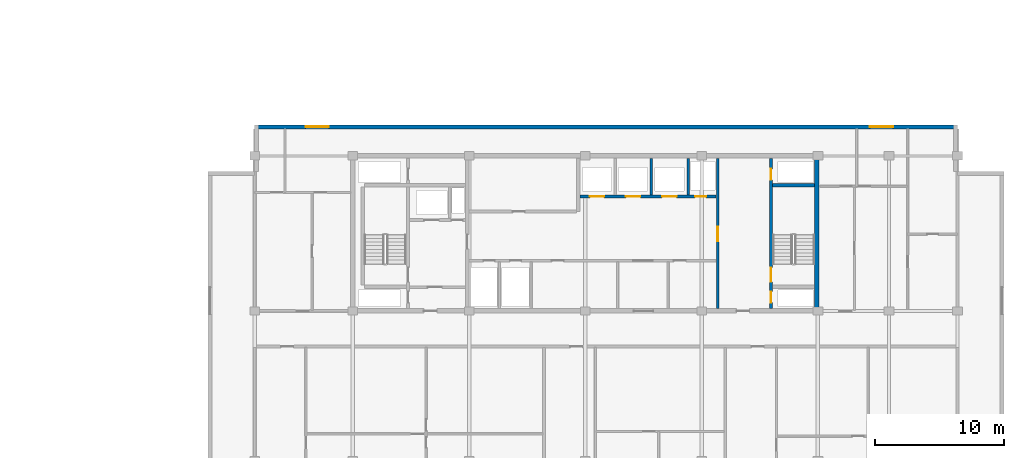
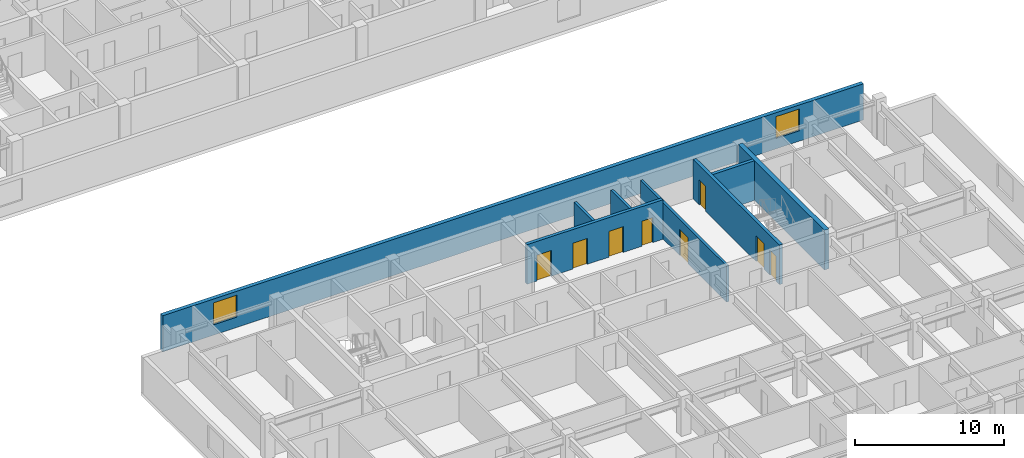
# One storey, part 8 of 22: 8 doors, 8 walls, 2 windows, 10 openings.
"""IFC4 building model written with IfcOpenShell, lengths in metres."""

from ifc_helpers import new_model, si_unit, direction, frame, frame_2d, origin, place, context, subcontext, project, spatial, rectangle, extrude, material, layer, layer_set, type_object, element, fill, save


model = new_model("IFC4")

# Units and contexts
model_context = context("Model", 3, precision=1e-05, world=origin(), true_north=direction((0.0, 1.0)))
body_context = subcontext(model_context, "Body", "Model", "MODEL_VIEW")
ifc_project = project(units=[si_unit("LENGTHUNIT", "METRE"), si_unit("AREAUNIT", "SQUARE_METRE"), si_unit("VOLUMEUNIT", "CUBIC_METRE"), si_unit("PLANEANGLEUNIT", "RADIAN"), si_unit("MASSUNIT", "GRAM", prefix="KILO")], contexts=[model_context])

# Site, building, storey
site_placement = place(None, origin())
site = spatial("IfcSite", under=ifc_project, at=site_placement, CompositionType="ELEMENT")
building_placement = place(site_placement, origin())
building = spatial("IfcBuilding", under=site, at=building_placement, Name="Korimba Cascade Residences", CompositionType="ELEMENT")
storey_placement = place(building_placement, frame((0.0, 0.0, 194.60009765625)))
storey = spatial("IfcBuildingStorey", under=building, at=storey_placement, Name="L56", CompositionType="ELEMENT", Elevation=194.60009765625)

# Wall, openings, windows
ifc_material_1 = material(Name="Precast concrete C40/50", Category="concrete")
ifc_layer_1 = layer(ifc_material_1, 0.300048828125)
ifc_layer_set_1 = layer_set([ifc_layer_1], Name="Precast concrete C40/50")
wall_type_1 = type_object("IfcWallType", Name="EW-STONE-300", PredefinedType="STANDARD", material=ifc_layer_set_1)
wall_1_placement = place(storey_placement, frame((128.89990234375, 32.64990234375, 0.0), z_axis=(0.0, 0.0, 1.0), x_axis=(-1.0, 0.0, 0.0)))
wall_1 = element("IfcWall", 1, at=wall_1_placement, inside=storey, type_object=wall_type_1, Name="L56 T2 Perimeter Stone Wall E06", PredefinedType="STANDARD", context=body_context, shape_type="SweptSolid", body=[
    extrude(rectangle(XDim=54.39990234375, YDim=0.300048828125, at=frame_2d((27.199951171875, 0.0))), origin(), (0.0, 0.0, 1.0), 2.969970703125),
])
opening_1_placement = place(wall_1_placement, frame((48.64990234375, 0.0, 0.85009765625)))
opening_1 = element("IfcOpeningElement", 2, at=opening_1_placement, cuts=wall_1, Name="Opening W-02", PredefinedType="OPENING", context=body_context, shape_type="SweptSolid", body=[
    extrude(rectangle(XDim=1.800048828125, YDim=1.800048828125, at=frame_2d((0.89990234375, 0.89990234375))), frame((0.0, 0.16015625, 0.0), z_axis=(0.0, -1.0, 0.0), x_axis=(1.0, 0.0, 0.0)), (0.0, 0.0, 1.0), 0.320068359375),
])
opening_2_placement = place(wall_1_placement, frame((4.97509765625, 0.0, 0.85009765625)))
opening_2 = element("IfcOpeningElement", 3, at=opening_2_placement, cuts=wall_1, Name="Opening W-02", PredefinedType="OPENING", context=body_context, shape_type="SweptSolid", body=[
    extrude(rectangle(XDim=1.800048828125, YDim=1.800048828125, at=frame_2d((0.89990234375, 0.89990234375))), frame((0.0, 0.16015625, 0.0), z_axis=(0.0, -1.0, 0.0), x_axis=(1.0, 0.0, 0.0)), (0.0, 0.0, 1.0), 0.320068359375),
])
ifc_material_2 = material(Name="Double-Glazed Aluminium Window", Category="aluminium")
window_type = type_object("IfcWindowType", Name="WIN-BED-1800", PartitioningType="SINGLE_PANEL", PredefinedType="WINDOW", material=ifc_material_2)
window_1_placement = place(opening_1_placement, origin())
window_1 = element("IfcWindow", 4, at=window_1_placement, inside=storey, type_object=window_type, Name="L56 T2 North Corner Bedroom Window 1", OverallHeight=1.800048828125, OverallWidth=1.800048828125, PartitioningType="SINGLE_PANEL", PredefinedType="WINDOW", context=body_context, shape_type="SweptSolid", body=[
    extrude(rectangle(XDim=1.800048828125, YDim=1.800048828125, at=frame_2d((0.89990234375, 0.89990234375))), frame((0.0, 0.030029296875, 0.0), z_axis=(0.0, -1.0, 0.0), x_axis=(1.0, 0.0, 0.0)), (0.0, 0.0, 1.0), 0.06005859375),
])
fill(opening_1, window_1)
window_2_placement = place(opening_2_placement, origin())
window_2 = element("IfcWindow", 5, at=window_2_placement, inside=storey, type_object=window_type, Name="L56 T2 North Corner Bedroom Window 2", OverallHeight=1.800048828125, OverallWidth=1.800048828125, PartitioningType="SINGLE_PANEL", PredefinedType="WINDOW", context=body_context, shape_type="SweptSolid", body=[
    extrude(rectangle(XDim=1.800048828125, YDim=1.800048828125, at=frame_2d((0.89990234375, 0.89990234375))), frame((0.0, 0.030029296875, 0.0), z_axis=(0.0, -1.0, 0.0), x_axis=(1.0, 0.0, 0.0)), (0.0, 0.0, 1.0), 0.06005859375),
])
fill(opening_2, window_2)

# Walls
ifc_material_3 = material(Name="Concrete C65/80", Category="concrete")
ifc_layer_2 = layer(ifc_material_3, 0.35009765625)
ifc_layer_set_2 = layer_set([ifc_layer_2], Name="Concrete C65/80")
wall_type_2 = type_object("IfcWallType", Name="WAL-CORE-350", PredefinedType="SHEAR", material=ifc_layer_set_2)
wall_2_placement = place(storey_placement, frame((118.014892578125, 18.574951171875, 0.0), z_axis=(0.0, 0.0, 1.0), x_axis=(0.0, 1.0, 0.0)))
element("IfcWall", 6, at=wall_2_placement, inside=storey, type_object=wall_type_2, Name="L56 Core Shear Wall CW-L56-T2-E", PredefinedType="SHEAR", context=body_context, shape_type="SweptSolid", body=[
    extrude(rectangle(XDim=11.650146484375, YDim=0.35009765625, at=frame_2d((5.8251953125, 0.0))), origin(), (0.0, 0.0, 1.0), 3.25),
])
ifc_material_4 = material(Name="Concrete C40/50", Category="concrete")
ifc_layer_3 = layer(ifc_material_4, 0.199951171875)
ifc_layer_set_3 = layer_set([ifc_layer_3], Name="Concrete C40/50")
wall_type_3 = type_object("IfcWallType", Name="WAL-PART-200", PredefinedType="PARTITIONING", material=ifc_layer_set_3)
for number, where, z_axis, x_axis, name in (
    (7, (105.199951171875, 27.3798828125, 0.0), (0.0, 0.0, 1.0), (0.0, 1.0, 0.0), "L56 Partition Wall CW-L56-T2-B2D2"),
    (8, (108.050048828125, 27.3798828125, 0.0), (0.0, 0.0, 1.0), (0.0, 1.0, 0.0), "L56 Partition Wall CW-L56-T2-B2D3"),
):
    element("IfcWall", number, at=place(storey_placement, frame(where, z_axis=z_axis, x_axis=x_axis)), inside=storey, type_object=wall_type_3, Name=name, PredefinedType="PARTITIONING", context=body_context, shape_type="SweptSolid", body=[
        extrude(rectangle(XDim=2.820068359375, YDim=0.199951171875, at=frame_2d((1.41015625, 0.0))), origin(), (0.0, 0.0, 1.0), 2.969970703125),
    ])

# Wall, opening, door
wall_3_placement = place(storey_placement, frame((110.35009765625, 18.60009765625, 0.0), z_axis=(0.0, 0.0, 1.0), x_axis=(0.0, 1.0, 0.0)))
wall_3 = element("IfcWall", 9, at=wall_3_placement, inside=storey, type_object=wall_type_3, Name="L56 Partition Wall CW-L56-T2-LLEV", PredefinedType="PARTITIONING", context=body_context, shape_type="SweptSolid", body=[
    extrude(rectangle(XDim=11.599853515625, YDim=0.199951171875, at=frame_2d((5.7998046875, 0.0))), origin(), (0.0, 0.0, 1.0), 2.969970703125),
])
opening_3_placement = place(wall_3_placement, frame((5.199951171875, 0.0, 0.0)))
opening_3 = element("IfcOpeningElement", 10, at=opening_3_placement, cuts=wall_3, Name="Opening D-FD6", PredefinedType="OPENING", context=body_context, shape_type="SweptSolid", body=[
    extrude(rectangle(XDim=1.10009765625, YDim=2.14990234375, at=frame_2d((0.550048828125, 1.074951171875))), frame((0.0, 0.10986328125, 0.0), z_axis=(0.0, -1.0, 0.0), x_axis=(1.0, 0.0, 0.0)), (0.0, 0.0, 1.0), 0.219970703125),
])
ifc_material_5 = material(Name="Fire-Rated Timber Stair Lobby Door", Category="wood")
door_type_1 = type_object("IfcDoorType", Name="DR-FD90-1100", OperationType="NOTDEFINED", PredefinedType="DOOR", material=ifc_material_5)
door_1_placement = place(opening_3_placement, origin())
door_1 = element("IfcDoor", 11, at=door_1_placement, inside=storey, type_object=door_type_1, Name="L56 T2 Lift Lobby to East Stair Lobby Door", OperationType="SINGLE_SWING_LEFT", OverallHeight=2.14990234375, OverallWidth=1.10009765625, PredefinedType="DOOR", context=body_context, shape_type="SweptSolid", body=[
    extrude(rectangle(XDim=1.10009765625, YDim=2.14990234375, at=frame_2d((0.550048828125, 1.074951171875))), frame((0.0, 0.02490234375, 0.0), z_axis=(0.0, -1.0, 0.0), x_axis=(1.0, 0.0, 0.0)), (0.0, 0.0, 1.0), 0.050048828125),
])
fill(opening_3, door_1)

# Wall, openings, doors
ifc_material_6 = material(Name="Concrete C50/60", Category="concrete")
ifc_layer_4 = layer(ifc_material_6, 0.25)
ifc_layer_set_4 = layer_set([ifc_layer_4], Name="Concrete C50/60")
wall_type_4 = type_object("IfcWallType", Name="WAL-SHAFT-250", PredefinedType="SHEAR", material=ifc_layer_set_4)
wall_4_placement = place(storey_placement, frame((99.679931640625, 27.25, 0.0), z_axis=(0.0, 0.0, 1.0), x_axis=(1.0, 0.0, 0.0)))
wall_4 = element("IfcWall", 12, at=wall_4_placement, inside=storey, type_object=wall_type_4, Name="L56 Core Shear Wall CW-L56-T2-B2S", PredefinedType="SHEAR", context=body_context, shape_type="SweptSolid", body=[
    extrude(rectangle(XDim=10.5400390625, YDim=0.25, at=frame_2d((5.27001953125, 0.0))), origin(), (0.0, 0.0, 1.0), 3.25),
])
opening_4_placement = place(wall_4_placement, frame((0.760009765625, 0.0, 0.0)))
opening_4 = element("IfcOpeningElement", 13, at=opening_4_placement, cuts=wall_4, Name="Opening LD-01", PredefinedType="OPENING", context=body_context, shape_type="SweptSolid", body=[
    extrude(rectangle(XDim=1.1201171875, YDim=2.1201171875, at=frame_2d((0.56005859375, 1.06005859375))), frame((0.0, 0.135009765625, 0.0), z_axis=(0.0, -1.0, 0.0), x_axis=(1.0, 0.0, 0.0)), (0.0, 0.0, 1.0), 0.27001953125),
])
opening_5_placement = place(wall_4_placement, frame((3.56005859375, 0.0, 0.0)))
opening_5 = element("IfcOpeningElement", 14, at=opening_5_placement, cuts=wall_4, Name="Opening LD-01", PredefinedType="OPENING", context=body_context, shape_type="SweptSolid", body=[
    extrude(rectangle(XDim=1.1201171875, YDim=2.1201171875, at=frame_2d((0.56005859375, 1.06005859375))), frame((0.0, 0.135009765625, 0.0), z_axis=(0.0, -1.0, 0.0), x_axis=(1.0, 0.0, 0.0)), (0.0, 0.0, 1.0), 0.27001953125),
])
opening_6_placement = place(wall_4_placement, frame((6.360107421875, 0.0, 0.0)))
opening_6 = element("IfcOpeningElement", 15, at=opening_6_placement, cuts=wall_4, Name="Opening LD-01", PredefinedType="OPENING", context=body_context, shape_type="SweptSolid", body=[
    extrude(rectangle(XDim=1.1201171875, YDim=2.1201171875, at=frame_2d((0.56005859375, 1.06005859375))), frame((0.0, 0.135009765625, 0.0), z_axis=(0.0, -1.0, 0.0), x_axis=(1.0, 0.0, 0.0)), (0.0, 0.0, 1.0), 0.27001953125),
])
opening_7_placement = place(wall_4_placement, frame((8.919921875, 0.0, 0.0)))
opening_7 = element("IfcOpeningElement", 16, at=opening_7_placement, cuts=wall_4, Name="Opening D-RS1", PredefinedType="OPENING", context=body_context, shape_type="SweptSolid", body=[
    extrude(rectangle(XDim=0.85009765625, YDim=2.050048828125, at=frame_2d((0.425048828125, 1.02490234375))), frame((0.0, 0.135009765625, 0.0), z_axis=(0.0, -1.0, 0.0), x_axis=(1.0, 0.0, 0.0)), (0.0, 0.0, 1.0), 0.27001953125),
])
ifc_material_7 = material(Name="Fire-Rated Steel Riser Access Door", Category="steel")
door_type_2 = type_object("IfcDoorType", Name="DR-FD60-850", OperationType="NOTDEFINED", PredefinedType="DOOR", material=ifc_material_7)
door_2_placement = place(opening_7_placement, origin())
door_2 = element("IfcDoor", 17, at=door_2_placement, inside=storey, type_object=door_type_2, Name="L56 T2 Duct Door", OperationType="SINGLE_SWING_RIGHT", OverallHeight=2.050048828125, OverallWidth=0.85009765625, PredefinedType="DOOR", context=body_context, shape_type="SweptSolid", body=[
    extrude(rectangle(XDim=0.85009765625, YDim=2.050048828125, at=frame_2d((0.425048828125, 1.02490234375))), frame((0.0, 0.02490234375, 0.0), z_axis=(0.0, -1.0, 0.0), x_axis=(1.0, 0.0, 0.0)), (0.0, 0.0, 1.0), 0.050048828125),
])
fill(opening_7, door_2)
ifc_material_8 = material(Name="Stainless Steel Lift Landing Sliding Door", Category="steel")
door_type_3 = type_object("IfcDoorType", Name="DR-LIFT-1100", OperationType="NOTDEFINED", PredefinedType="DOOR", material=ifc_material_8)
door_3_placement = place(opening_4_placement, origin())
door_3 = element("IfcDoor", 18, at=door_3_placement, inside=storey, type_object=door_type_3, Name="L56 Lift Landing Door PL-E4", OperationType="SLIDING_TO_RIGHT", OverallHeight=2.1201171875, OverallWidth=1.1201171875, PredefinedType="DOOR", context=body_context, shape_type="SweptSolid", body=[
    extrude(rectangle(XDim=1.1201171875, YDim=2.1201171875, at=frame_2d((0.56005859375, 1.06005859375))), frame((0.0, 0.02490234375, 0.0), z_axis=(0.0, -1.0, 0.0), x_axis=(1.0, 0.0, 0.0)), (0.0, 0.0, 1.0), 0.050048828125),
])
fill(opening_4, door_3)
door_4_placement = place(opening_5_placement, origin())
door_4 = element("IfcDoor", 19, at=door_4_placement, inside=storey, type_object=door_type_3, Name="L56 Lift Landing Door PL-E5", OperationType="SLIDING_TO_RIGHT", OverallHeight=2.1201171875, OverallWidth=1.1201171875, PredefinedType="DOOR", context=body_context, shape_type="SweptSolid", body=[
    extrude(rectangle(XDim=1.1201171875, YDim=2.1201171875, at=frame_2d((0.56005859375, 1.06005859375))), frame((0.0, 0.02490234375, 0.0), z_axis=(0.0, -1.0, 0.0), x_axis=(1.0, 0.0, 0.0)), (0.0, 0.0, 1.0), 0.050048828125),
])
fill(opening_5, door_4)
door_5_placement = place(opening_6_placement, origin())
door_5 = element("IfcDoor", 20, at=door_5_placement, inside=storey, type_object=door_type_3, Name="L56 Lift Landing Door PL-E6", OperationType="SLIDING_TO_RIGHT", OverallHeight=2.1201171875, OverallWidth=1.1201171875, PredefinedType="DOOR", context=body_context, shape_type="SweptSolid", body=[
    extrude(rectangle(XDim=1.1201171875, YDim=2.1201171875, at=frame_2d((0.56005859375, 1.06005859375))), frame((0.0, 0.02490234375, 0.0), z_axis=(0.0, -1.0, 0.0), x_axis=(1.0, 0.0, 0.0)), (0.0, 0.0, 1.0), 0.050048828125),
])
fill(opening_6, door_5)

wall_5_placement = place(storey_placement, frame((114.47509765625, 18.60009765625, 0.0), z_axis=(0.0, 0.0, 1.0), x_axis=(0.0, 1.0, 0.0)))
wall_5 = element("IfcWall", 21, at=wall_5_placement, inside=storey, type_object=wall_type_4, Name="L56 Core Shear Wall CW-L56-T2-STE2W", PredefinedType="SHEAR", context=body_context, shape_type="SweptSolid", body=[
    extrude(rectangle(XDim=11.599853515625, YDim=0.25, at=frame_2d((5.7998046875, 0.0))), origin(), (0.0, 0.0, 1.0), 3.25),
])
opening_8_placement = place(wall_5_placement, frame((0.449951171875, 0.0, 0.0)))
opening_8 = element("IfcOpeningElement", 22, at=opening_8_placement, cuts=wall_5, Name="Opening D-RS1", PredefinedType="OPENING", context=body_context, shape_type="SweptSolid", body=[
    extrude(rectangle(XDim=0.85009765625, YDim=2.050048828125, at=frame_2d((0.425048828125, 1.02490234375))), frame((0.0, 0.135009765625, 0.0), z_axis=(0.0, -1.0, 0.0), x_axis=(1.0, 0.0, 0.0)), (0.0, 0.0, 1.0), 0.27001953125),
])
opening_9_placement = place(wall_5_placement, frame((2.050048828125, 0.0, 0.0)))
opening_9 = element("IfcOpeningElement", 23, at=opening_9_placement, cuts=wall_5, Name="Opening D-FD1", PredefinedType="OPENING", context=body_context, shape_type="SweptSolid", body=[
    extrude(rectangle(XDim=1.10009765625, YDim=2.10009765625, at=frame_2d((0.550048828125, 1.050048828125))), frame((0.0, 0.135009765625, 0.0), z_axis=(0.0, -1.0, 0.0), x_axis=(1.0, 0.0, 0.0)), (0.0, 0.0, 1.0), 0.27001953125),
])
opening_10_placement = place(wall_5_placement, frame((9.949951171875, 0.0, 0.0)))
opening_10 = element("IfcOpeningElement", 24, at=opening_10_placement, cuts=wall_5, Name="Opening D-RS1", PredefinedType="OPENING", context=body_context, shape_type="SweptSolid", body=[
    extrude(rectangle(XDim=0.85009765625, YDim=2.050048828125, at=frame_2d((0.425048828125, 1.02490234375))), frame((0.0, 0.135009765625, 0.0), z_axis=(0.0, -1.0, 0.0), x_axis=(1.0, 0.0, 0.0)), (0.0, 0.0, 1.0), 0.27001953125),
])
ifc_material_9 = material(Name="Fire-Rated Steel Core Door", Category="steel")
door_type_4 = type_object("IfcDoorType", Name="DR-FD120-1100", OperationType="NOTDEFINED", PredefinedType="DOOR", material=ifc_material_9)
door_6_placement = place(opening_9_placement, origin())
door_6 = element("IfcDoor", 25, at=door_6_placement, inside=storey, type_object=door_type_4, Name="L56 Fire Stair ST-E2 Door", OperationType="SINGLE_SWING_LEFT", OverallHeight=2.10009765625, OverallWidth=1.10009765625, PredefinedType="DOOR", context=body_context, shape_type="SweptSolid", body=[
    extrude(rectangle(XDim=1.10009765625, YDim=2.10009765625, at=frame_2d((0.550048828125, 1.050048828125))), frame((0.0, 0.02490234375, 0.0), z_axis=(0.0, -1.0, 0.0), x_axis=(1.0, 0.0, 0.0)), (0.0, 0.0, 1.0), 0.050048828125),
])
fill(opening_9, door_6)
door_7_placement = place(opening_8_placement, origin())
door_7 = element("IfcDoor", 26, at=door_7_placement, inside=storey, type_object=door_type_2, Name="L56 T2 East Hydrant Door", OperationType="SINGLE_SWING_RIGHT", OverallHeight=2.050048828125, OverallWidth=0.85009765625, PredefinedType="DOOR", context=body_context, shape_type="SweptSolid", body=[
    extrude(rectangle(XDim=0.85009765625, YDim=2.050048828125, at=frame_2d((0.425048828125, 1.02490234375))), frame((0.0, 0.02490234375, 0.0), z_axis=(0.0, -1.0, 0.0), x_axis=(1.0, 0.0, 0.0)), (0.0, 0.0, 1.0), 0.050048828125),
])
fill(opening_8, door_7)
door_8_placement = place(opening_10_placement, origin())
door_8 = element("IfcDoor", 27, at=door_8_placement, inside=storey, type_object=door_type_2, Name="L56 T2 East Riser Door", OperationType="SINGLE_SWING_RIGHT", OverallHeight=2.050048828125, OverallWidth=0.85009765625, PredefinedType="DOOR", context=body_context, shape_type="SweptSolid", body=[
    extrude(rectangle(XDim=0.85009765625, YDim=2.050048828125, at=frame_2d((0.425048828125, 1.02490234375))), frame((0.0, 0.02490234375, 0.0), z_axis=(0.0, -1.0, 0.0), x_axis=(1.0, 0.0, 0.0)), (0.0, 0.0, 1.0), 0.050048828125),
])
fill(opening_10, door_8)

# Wall
wall_6_placement = place(storey_placement, frame((114.60009765625, 28.125, 0.0), z_axis=(0.0, 0.0, 1.0), x_axis=(1.0, 0.0, 0.0)))
element("IfcWall", 28, at=wall_6_placement, inside=storey, type_object=wall_type_4, Name="L56 Core Shear Wall CW-L56-T2-STE2N", PredefinedType="SHEAR", context=body_context, shape_type="SweptSolid", body=[
    extrude(rectangle(XDim=3.239990234375, YDim=0.25, at=frame_2d((1.6201171875, 0.0))), origin(), (0.0, 0.0, 1.0), 3.25),
])

save(model, "model.ifc")
